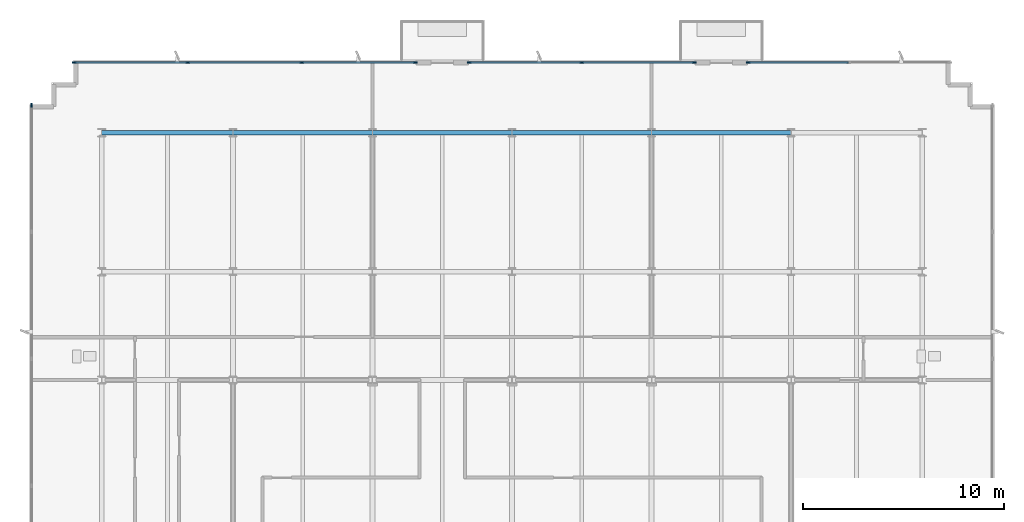
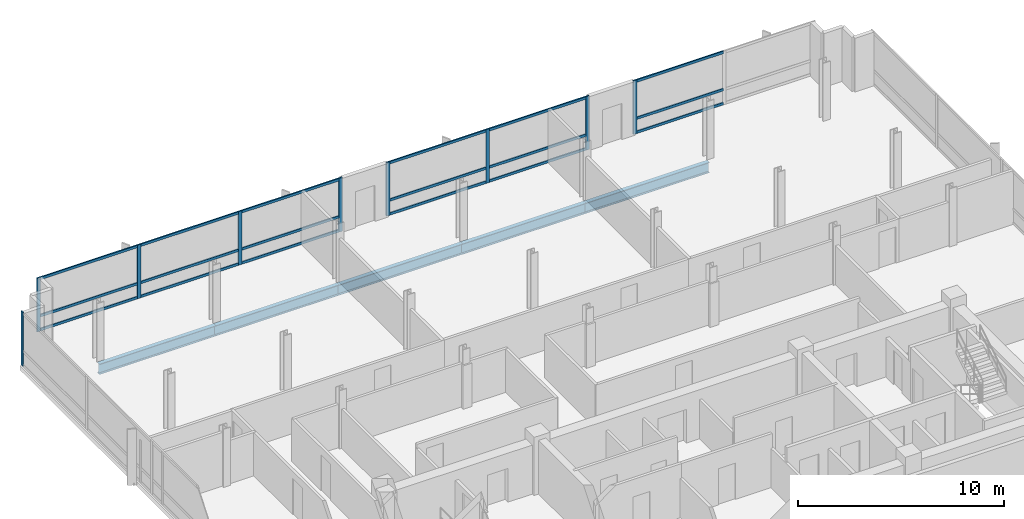
# One storey, part 5 of 13: 27 members, 5 beams, 4 elements without a shape of their own.
"""IFC4 building model written with IfcOpenShell, lengths in metres."""

import ifcopenshell
import ifcopenshell.guid

model = None  # the IFC model being written
_history = None  # IfcOwnerHistory: only IFC2X3 demands one
_inside = {}  # id of a spatial element -> (the spatial element, [elements in it])
_under = {}  # id of a project, library or spatial element -> (it, [spatial elements below it])
_declared = {}  # id of a project -> (the project, [libraries it declares])
_typed = {}  # id of a type object -> (the type object, [elements of that type])
_made_of = {}  # id of a material, layer set ... -> (it, [elements and type objects made of it])


def new_model(schema):
    """Start an empty IFC model of exactly this schema.

    Asked for "IFC4X3", IfcOpenShell would pick the latest addendum, in which some entities
    have other attributes; the version numbers below select the first issue.
    IFC2X3 requires an IfcOwnerHistory on every rooted entity: one is made here for all.
    """
    global model, _history
    if schema == "IFC4X3":
        model = ifcopenshell.file(schema_version=(4, 3, 0, 0))
    else:
        model = ifcopenshell.file(schema=schema)
    _inside.clear()
    _under.clear()
    _declared.clear()
    _typed.clear()
    _made_of.clear()
    _history = None
    if model.schema == "IFC2X3":
        org = make("IfcOrganization", Name="unknown")
        user = make(
            "IfcPersonAndOrganization",
            ThePerson=make("IfcPerson", FamilyName="unknown"),
            TheOrganization=org,
        )
        app = make(
            "IfcApplication",
            ApplicationDeveloper=org,
            Version="unknown",
            ApplicationFullName="unknown",
            ApplicationIdentifier="unknown",
        )
        _history = make(
            "IfcOwnerHistory",
            OwningUser=user,
            OwningApplication=app,
            ChangeAction="ADDED",
            CreationDate=0,
        )
    return model


def make(cls, **values):
    """One entity of the class cls with the attributes given. An attribute that is None is left unset."""
    return model.create_entity(
        cls, **{name: value for name, value in values.items() if value is not None}
    )


def rooted(cls, **values):
    """An entity with a GlobalId (a new one), such as an element, a storey or a relation."""
    return make(cls, GlobalId=ifcopenshell.guid.new(), OwnerHistory=_history, **values)


def si_unit(unit_type, name, prefix=None):
    """IfcSIUnit, for example si_unit("LENGTHUNIT", "METRE", prefix="MILLI")."""
    return make("IfcSIUnit", UnitType=unit_type, Prefix=prefix, Name=name)


def assignment(units):
    """IfcUnitAssignment: the units of a project."""
    return None if units is None else make("IfcUnitAssignment", Units=units)


def point(xyz):
    """IfcCartesianPoint."""
    return None if xyz is None else make("IfcCartesianPoint", Coordinates=xyz)


def direction(xyz):
    """IfcDirection."""
    return None if xyz is None else make("IfcDirection", DirectionRatios=xyz)


def frame(location, z_axis=None, x_axis=None):
    """IfcAxis2Placement3D, a coordinate frame: its origin and axes. An axis left out is left unset."""
    return make(
        "IfcAxis2Placement3D",
        Location=point(location),
        Axis=direction(z_axis),
        RefDirection=direction(x_axis),
    )


def frame_2d(location, x_axis=None):
    """IfcAxis2Placement2D, a coordinate frame in the plane: its origin and x axis."""
    return make(
        "IfcAxis2Placement2D", Location=point(location), RefDirection=direction(x_axis)
    )


def origin():
    """The frame at (0, 0, 0) with its axes left unset."""
    return frame((0.0, 0.0, 0.0))


def origin_2d():
    """The frame at (0, 0) in the plane with its x axis left unset."""
    return frame_2d((0.0, 0.0))


def place(relative_to, where):
    """IfcLocalPlacement: puts the frame where relative to a parent placement (None: the world)."""
    return make(
        "IfcLocalPlacement", PlacementRelTo=relative_to, RelativePlacement=where
    )


def context(
    kind, dimensions, precision=None, world=None, true_north=None, identifier=None
):
    """IfcGeometricRepresentationContext, for example the 3D "Model" context."""
    return make(
        "IfcGeometricRepresentationContext",
        ContextIdentifier=identifier,
        ContextType=kind,
        CoordinateSpaceDimension=dimensions,
        Precision=precision,
        WorldCoordinateSystem=world,
        TrueNorth=true_north,
    )


def subcontext(parent, identifier, kind, view, scale=None):
    """IfcGeometricRepresentationSubContext, for example "Body" below "Model"."""
    return make(
        "IfcGeometricRepresentationSubContext",
        ContextIdentifier=identifier,
        ContextType=kind,
        ParentContext=parent,
        TargetScale=scale,
        TargetView=view,
    )


def project(units=None, contexts=None):
    """IfcProject with its units and contexts."""
    return rooted(
        "IfcProject",
        Name="project",
        RepresentationContexts=contexts,
        UnitsInContext=assignment(units),
    )


def spatial(cls, under=None, at=None, **own):
    """A site, building, storey or space (cls), placed at a placement, below another one or the project."""
    s = rooted(cls, ObjectPlacement=at, **own)
    if under is not None:
        _under.setdefault(under.id(), (under, []))[1].append(s)
    return s


def profile(cls, at=None, kind="AREA", **sizes):
    """A parametric profile (cls). Its sizes go by their IFC names, for example OverallWidth=200.0."""
    return make(cls, ProfileType=kind, Position=at, **sizes)


def rectangle(**sizes):
    """IfcRectangleProfileDef."""
    return profile("IfcRectangleProfileDef", **sizes)


def i_section(**sizes):
    """IfcIShapeProfileDef."""
    return profile("IfcIShapeProfileDef", **sizes)


def extrude(swept, where, along, depth):
    """IfcExtrudedAreaSolid: the profile swept, set in the frame where, extruded along a direction by depth."""
    return make(
        "IfcExtrudedAreaSolid",
        SweptArea=swept,
        Position=where,
        ExtrudedDirection=direction(along),
        Depth=depth,
    )


def shape(context_of_items, identifier, shape_type, items):
    """IfcShapeRepresentation: the items that make up one representation, for example the "Body"."""
    return make(
        "IfcShapeRepresentation",
        ContextOfItems=context_of_items,
        RepresentationIdentifier=identifier,
        RepresentationType=shape_type,
        Items=items,
    )


def material(Name=None, Category=None):
    """IfcMaterial."""
    return make("IfcMaterial", Name=Name, Category=Category)


def material_profile(
    of_material, cross_section, Name=None, Category=None, Priority=None
):
    """IfcMaterialProfile: a cross section and its material."""
    return make(
        "IfcMaterialProfile",
        Name=Name,
        Material=of_material,
        Profile=cross_section,
        Priority=Priority,
        Category=Category,
    )


def profile_set(profiles, Name=None, composite=None):
    """IfcMaterialProfileSet."""
    return make(
        "IfcMaterialProfileSet",
        Name=Name,
        MaterialProfiles=profiles,
        CompositeProfile=composite,
    )


def made_of(thing, what):
    """Note that an element or type object is made of a material, layer set ...; save() writes the relation."""
    if what is not None:
        _made_of.setdefault(what.id(), (what, []))[1].append(thing)
    return thing


def type_object(cls, material=None, **own):
    """A type object (cls), such as IfcWallType, which elements share."""
    return made_of(rooted(cls, **own), material)


def element(
    cls,
    number,
    at=None,
    inside=None,
    cuts=None,
    type_object=None,
    material=None,
    context=None,
    identifier="Body",
    shape_type=None,
    held_by="IfcProductDefinitionShape",
    body=None,
    shapes=None,
    **own,
):
    """One element of the class cls, such as IfcWall. Its Tag is "e" and its number.

    at: its placement. inside: the storey or other place that contains it. cuts: it is an
    opening in that element (IfcRelVoidsElement). A single representation is given by context,
    identifier, shape_type and body (its items); several are given by shapes. held_by: the class
    of the entity that holds the representations. save() writes the other relations.
    """
    e = rooted(cls, Tag="e%d" % number, ObjectPlacement=at, **own)
    if body is not None:
        shapes = [shape(context, identifier, shape_type, body)]
    if shapes is not None:
        e.Representation = make(held_by, Representations=shapes)
    if inside is not None:
        _inside.setdefault(inside.id(), (inside, []))[1].append(e)
    if cuts is not None:
        rooted(
            "IfcRelVoidsElement", RelatingBuildingElement=cuts, RelatedOpeningElement=e
        )
    if type_object is not None:
        _typed.setdefault(type_object.id(), (type_object, []))[1].append(e)
    return made_of(e, material)


def aggregate(whole, parts):
    """IfcRelAggregates: a whole, such as a stair, and the parts it consists of."""
    return rooted("IfcRelAggregates", RelatingObject=whole, RelatedObjects=parts)


def save(model, path):
    """Write the relations noted so far, then the file.

    IfcRelAggregates (storeys below a building ...), IfcRelContainedInSpatialStructure (elements
    in a storey), IfcRelDefinesByType, IfcRelAssociatesMaterial and IfcRelDeclares: one each for
    every whole, place, type object, material and project.
    """
    for whole, parts in _under.values():
        aggregate(whole, parts)
    for where, things in _inside.values():
        rooted(
            "IfcRelContainedInSpatialStructure",
            RelatedElements=things,
            RelatingStructure=where,
        )
    for kind, things in _typed.values():
        rooted("IfcRelDefinesByType", RelatedObjects=things, RelatingType=kind)
    for what, things in _made_of.values():
        rooted("IfcRelAssociatesMaterial", RelatedObjects=things, RelatingMaterial=what)
    for by, libraries in _declared.values():
        rooted("IfcRelDeclares", RelatingContext=by, RelatedDefinitions=libraries)
    model.write(path)


model = new_model("IFC4")

# Units and contexts
model_context = context("Model", 3, precision=1e-05, world=origin(), true_north=direction((0.0, 1.0)))
body_context = subcontext(model_context, "Body", "Model", "MODEL_VIEW")
ifc_project = project(units=[si_unit("LENGTHUNIT", "METRE"), si_unit("AREAUNIT", "SQUARE_METRE"), si_unit("VOLUMEUNIT", "CUBIC_METRE"), si_unit("PLANEANGLEUNIT", "RADIAN"), si_unit("MASSUNIT", "GRAM", prefix="KILO")], contexts=[model_context])

# Site, building, storey
site_placement = place(None, origin())
site = spatial("IfcSite", under=ifc_project, at=site_placement, CompositionType="ELEMENT")
building_placement = place(site_placement, origin())
building = spatial("IfcBuilding", under=site, at=building_placement, Name="Solmavex Isthmus Hotel", CompositionType="ELEMENT")
storey_placement = place(building_placement, frame((0.0, 0.0, 276.449951171875)))
storey = spatial("IfcBuildingStorey", under=building, at=storey_placement, Name="L75", CompositionType="ELEMENT", Elevation=276.449951171875)

# Beams
ifc_material_1 = material(Name="Steel ASTM A992 Grade 50", Category="steel")
ifc_material_profile_1 = material_profile(ifc_material_1, i_section(OverallWidth=0.230224609375, OverallDepth=0.617431640625, WebThickness=0.01318359375, FlangeThickness=0.022216796875, FilletRadius=0.01513671875, at=origin_2d()), Name="W24X94")
ifc_profile_set_1 = profile_set([ifc_material_profile_1], Name="Steel ASTM A992 Grade 50")
beam_type = type_object("IfcBeamType", Name="BM-SP-W24X94", PredefinedType="SPANDREL", material=ifc_profile_set_1)
beam_placement = place(storey_placement, frame((-20.39990234375, 17.699951171875, -0.568603515625), z_axis=(1.0, 0.0, 0.0), x_axis=(0.0, 1.0, 0.0)))
element("IfcBeam", 1, at=beam_placement, inside=storey, type_object=beam_type, Name="Floor Girder L75-UG15", PredefinedType="SPANDREL", context=body_context, shape_type="SweptSolid", body=[
    extrude(i_section(OverallWidth=0.230224609375, OverallDepth=0.617431640625, WebThickness=0.01318359375, FlangeThickness=0.022216796875, FilletRadius=0.01513671875, at=origin_2d()), origin(), (0.0, 0.0, 1.0), 6.52783203125),
])
for number, where, z_axis, x_axis, name in (
    (2, (-13.8720703125, 17.699951171875, -0.568603515625), (1.0, 0.0, 0.0), (0.0, 1.0, 0.0), "Floor Girder L75-UG16"),
    (3, (-6.93603515625, 17.699951171875, -0.568603515625), (1.0, 0.0, 0.0), (0.0, 1.0, 0.0), "Floor Girder L75-UG17"),
    (4, (0.0, 17.699951171875, -0.568603515625), (1.0, 0.0, 0.0), (0.0, 1.0, 0.0), "Floor Girder L75-UG18"),
    (5, (6.93603515625, 17.699951171875, -0.568603515625), (1.0, 0.0, 0.0), (0.0, 1.0, 0.0), "Floor Girder L75-UG19"),
):
    element("IfcBeam", number, at=place(storey_placement, frame(where, z_axis=z_axis, x_axis=x_axis)), inside=storey, type_object=beam_type, Name=name, PredefinedType="SPANDREL", context=body_context, shape_type="SweptSolid", body=[
        extrude(i_section(OverallWidth=0.230224609375, OverallDepth=0.617431640625, WebThickness=0.01318359375, FlangeThickness=0.022216796875, FilletRadius=0.01513671875, at=origin_2d()), origin(), (0.0, 0.0, 1.0), 6.93603515625),
    ])

# Curtain wall, members
ifc_material_2 = material(Name="Aluminium alloy 6063-T6", Category="aluminium")
curtain_wall_type = type_object("IfcCurtainWallType", Name="CW-SYS-04", PredefinedType="NOTDEFINED", material=ifc_material_2)
curtain_wall_1_placement = place(storey_placement, origin())
curtain_wall_1 = element("IfcCurtainWall", 6, at=curtain_wall_1_placement, inside=storey, type_object=curtain_wall_type, Name="Stick Curtain Wall CWL-L75-N1", PredefinedType="NOTDEFINED")
ifc_material_profile_2 = material_profile(ifc_material_2, rectangle(XDim=0.074951171875, YDim=0.199951171875, at=origin_2d()), Name="CWM-75X200")
ifc_profile_set_2 = profile_set([ifc_material_profile_2], Name="Aluminium alloy 6063-T6")
member_type_1 = type_object("IfcMemberType", Name="CW-SYS-04-MUL", PredefinedType="MULLION", material=ifc_profile_set_2)
member_1_placement = place(storey_placement, frame((-21.762451171875, 21.179931640625, 0.0), z_axis=(0.0, 0.0, 1.0), x_axis=(0.0, 1.0, 0.0)))
member_1 = element("IfcMember", 7, at=member_1_placement, type_object=member_type_1, Name="CW-04 mullion 1", PredefinedType="MULLION", context=body_context, shape_type="SweptSolid", body=[
    extrude(rectangle(XDim=0.074951171875, YDim=0.199951171875, at=origin_2d()), origin(), (0.0, 0.0, 1.0), 3.18994140625),
])
member_2_placement = place(storey_placement, frame((-16.12255859375, 21.179931640625, 0.0), z_axis=(0.0, 0.0, 1.0), x_axis=(0.0, 1.0, 0.0)))
member_2 = element("IfcMember", 8, at=member_2_placement, type_object=member_type_1, Name="CW-04 mullion 2", PredefinedType="MULLION", context=body_context, shape_type="SweptSolid", body=[
    extrude(rectangle(XDim=0.074951171875, YDim=0.199951171875, at=origin_2d()), origin(), (0.0, 0.0, 1.0), 3.18994140625),
])
member_3_placement = place(storey_placement, frame((-10.4453125, 21.179931640625, 0.0), z_axis=(0.0, 0.0, 1.0), x_axis=(0.0, 1.0, 0.0)))
member_3 = element("IfcMember", 9, at=member_3_placement, type_object=member_type_1, Name="CW-04 mullion 3", PredefinedType="MULLION", context=body_context, shape_type="SweptSolid", body=[
    extrude(rectangle(XDim=0.074951171875, YDim=0.199951171875, at=origin_2d()), origin(), (0.0, 0.0, 1.0), 3.18994140625),
])
member_4_placement = place(storey_placement, frame((-4.805419921875, 21.179931640625, 0.0), z_axis=(0.0, 0.0, 1.0), x_axis=(0.0, 1.0, 0.0)))
member_4 = element("IfcMember", 10, at=member_4_placement, type_object=member_type_1, Name="CW-04 mullion 4", PredefinedType="MULLION", context=body_context, shape_type="SweptSolid", body=[
    extrude(rectangle(XDim=0.074951171875, YDim=0.199951171875, at=origin_2d()), origin(), (0.0, 0.0, 1.0), 3.18994140625),
])

curtain_wall_2_placement = place(storey_placement, origin())
curtain_wall_2 = element("IfcCurtainWall", 11, at=curtain_wall_2_placement, inside=storey, type_object=curtain_wall_type, Name="Stick Curtain Wall CWL-L75-N2", PredefinedType="NOTDEFINED")
member_5_placement = place(storey_placement, frame((-2.130615234375, 21.179931640625, 0.0), z_axis=(0.0, 0.0, 1.0), x_axis=(0.0, 1.0, 0.0)))
member_5 = element("IfcMember", 12, at=member_5_placement, type_object=member_type_1, Name="CW-04 mullion 1", PredefinedType="MULLION", context=body_context, shape_type="SweptSolid", body=[
    extrude(rectangle(XDim=0.074951171875, YDim=0.199951171875, at=origin_2d()), origin(), (0.0, 0.0, 1.0), 3.18994140625),
])
member_6_placement = place(storey_placement, frame((3.468017578125, 21.179931640625, 0.0), z_axis=(0.0, 0.0, 1.0), x_axis=(0.0, 1.0, 0.0)))
member_6 = element("IfcMember", 13, at=member_6_placement, type_object=member_type_1, Name="CW-04 mullion 2", PredefinedType="MULLION", context=body_context, shape_type="SweptSolid", body=[
    extrude(rectangle(XDim=0.074951171875, YDim=0.199951171875, at=origin_2d()), origin(), (0.0, 0.0, 1.0), 3.18994140625),
])
member_7_placement = place(storey_placement, frame((9.06640625, 21.179931640625, 0.0), z_axis=(0.0, 0.0, 1.0), x_axis=(0.0, 1.0, 0.0)))
member_7 = element("IfcMember", 14, at=member_7_placement, type_object=member_type_1, Name="CW-04 mullion 3", PredefinedType="MULLION", context=body_context, shape_type="SweptSolid", body=[
    extrude(rectangle(XDim=0.074951171875, YDim=0.199951171875, at=origin_2d()), origin(), (0.0, 0.0, 1.0), 3.18994140625),
])

# Curtain wall, member
curtain_wall_3_placement = place(storey_placement, origin())
curtain_wall_3 = element("IfcCurtainWall", 15, at=curtain_wall_3_placement, inside=storey, type_object=curtain_wall_type, Name="Stick Curtain Wall CWL-L75-N3", PredefinedType="NOTDEFINED")
member_8_placement = place(storey_placement, frame((11.741455078125, 21.179931640625, 0.0), z_axis=(0.0, 0.0, 1.0), x_axis=(0.0, 1.0, 0.0)))
member_8 = element("IfcMember", 16, at=member_8_placement, type_object=member_type_1, Name="CW-04 mullion 1", PredefinedType="MULLION", context=body_context, shape_type="SweptSolid", body=[
    extrude(rectangle(XDim=0.074951171875, YDim=0.199951171875, at=origin_2d()), origin(), (0.0, 0.0, 1.0), 3.18994140625),
])

curtain_wall_4_placement = place(storey_placement, origin())
curtain_wall_4 = element("IfcCurtainWall", 17, at=curtain_wall_4_placement, inside=storey, type_object=curtain_wall_type, Name="Stick Curtain Wall CWL-L75-W1", PredefinedType="NOTDEFINED")
member_9_placement = place(storey_placement, frame((-23.8798828125, 19.0625, 0.0), z_axis=(0.0, 0.0, 1.0), x_axis=(-1.0, 0.0, 0.0)))
member_9 = element("IfcMember", 18, at=member_9_placement, type_object=member_type_1, Name="CW-04 mullion 6", PredefinedType="MULLION", context=body_context, shape_type="SweptSolid", body=[
    extrude(rectangle(XDim=0.074951171875, YDim=0.199951171875, at=origin_2d()), origin(), (0.0, 0.0, 1.0), 3.18994140625),
])
aggregate(curtain_wall_4, [member_9])

# Member
ifc_material_profile_3 = material_profile(ifc_material_2, rectangle(XDim=0.074951171875, YDim=0.14990234375, at=origin_2d()), Name="CWT-75X150")
ifc_profile_set_3 = profile_set([ifc_material_profile_3], Name="Aluminium alloy 6063-T6")
member_type_2 = type_object("IfcMemberType", Name="CW-SYS-04-TRN", PredefinedType="USERDEFINED", material=ifc_profile_set_3)
member_10_placement = place(storey_placement, frame((-21.72509765625, 21.179931640625, 0.074951171875), z_axis=(1.0, 0.0, 0.0), x_axis=(0.0, 1.0, 0.0)))
member_10 = element("IfcMember", 19, at=member_10_placement, type_object=member_type_2, Name="CW-04 transom 1.1", ObjectType="TRANSOM", PredefinedType="USERDEFINED", context=body_context, shape_type="SweptSolid", body=[
    extrude(rectangle(XDim=0.074951171875, YDim=0.14990234375, at=origin_2d()), origin(), (0.0, 0.0, 1.0), 5.56494140625),
])

member_11_placement = place(storey_placement, frame((-21.72509765625, 21.179931640625, 0.900146484375), z_axis=(1.0, 0.0, 0.0), x_axis=(0.0, 1.0, 0.0)))
member_11 = element("IfcMember", 20, at=member_11_placement, type_object=member_type_2, Name="CW-04 transom 1.2", ObjectType="TRANSOM", PredefinedType="USERDEFINED", context=body_context, shape_type="SweptSolid", body=[
    extrude(rectangle(XDim=0.074951171875, YDim=0.14990234375, at=origin_2d()), origin(), (0.0, 0.0, 1.0), 5.56494140625),
])

member_12_placement = place(storey_placement, frame((-21.72509765625, 21.179931640625, 3.114990234375), z_axis=(1.0, 0.0, 0.0), x_axis=(0.0, 1.0, 0.0)))
member_12 = element("IfcMember", 21, at=member_12_placement, type_object=member_type_2, Name="CW-04 transom 1.3", ObjectType="TRANSOM", PredefinedType="USERDEFINED", context=body_context, shape_type="SweptSolid", body=[
    extrude(rectangle(XDim=0.074951171875, YDim=0.14990234375, at=origin_2d()), origin(), (0.0, 0.0, 1.0), 5.56494140625),
])

member_13_placement = place(storey_placement, frame((-16.085205078125, 21.179931640625, 0.074951171875), z_axis=(1.0, 0.0, 0.0), x_axis=(0.0, 1.0, 0.0)))
member_13 = element("IfcMember", 22, at=member_13_placement, type_object=member_type_2, Name="CW-04 transom 2.1", ObjectType="TRANSOM", PredefinedType="USERDEFINED", context=body_context, shape_type="SweptSolid", body=[
    extrude(rectangle(XDim=0.074951171875, YDim=0.14990234375, at=origin_2d()), origin(), (0.0, 0.0, 1.0), 5.602294921875),
])

member_14_placement = place(storey_placement, frame((-16.085205078125, 21.179931640625, 0.900146484375), z_axis=(1.0, 0.0, 0.0), x_axis=(0.0, 1.0, 0.0)))
member_14 = element("IfcMember", 23, at=member_14_placement, type_object=member_type_2, Name="CW-04 transom 2.2", ObjectType="TRANSOM", PredefinedType="USERDEFINED", context=body_context, shape_type="SweptSolid", body=[
    extrude(rectangle(XDim=0.074951171875, YDim=0.14990234375, at=origin_2d()), origin(), (0.0, 0.0, 1.0), 5.602294921875),
])

member_15_placement = place(storey_placement, frame((-16.085205078125, 21.179931640625, 3.114990234375), z_axis=(1.0, 0.0, 0.0), x_axis=(0.0, 1.0, 0.0)))
member_15 = element("IfcMember", 24, at=member_15_placement, type_object=member_type_2, Name="CW-04 transom 2.3", ObjectType="TRANSOM", PredefinedType="USERDEFINED", context=body_context, shape_type="SweptSolid", body=[
    extrude(rectangle(XDim=0.074951171875, YDim=0.14990234375, at=origin_2d()), origin(), (0.0, 0.0, 1.0), 5.602294921875),
])

member_16_placement = place(storey_placement, frame((-10.40771484375, 21.179931640625, 0.074951171875), z_axis=(1.0, 0.0, 0.0), x_axis=(0.0, 1.0, 0.0)))
member_16 = element("IfcMember", 25, at=member_16_placement, type_object=member_type_2, Name="CW-04 transom 3.1", ObjectType="TRANSOM", PredefinedType="USERDEFINED", context=body_context, shape_type="SweptSolid", body=[
    extrude(rectangle(XDim=0.074951171875, YDim=0.14990234375, at=origin_2d()), origin(), (0.0, 0.0, 1.0), 5.564697265625),
])

member_17_placement = place(storey_placement, frame((-10.40771484375, 21.179931640625, 0.900146484375), z_axis=(1.0, 0.0, 0.0), x_axis=(0.0, 1.0, 0.0)))
member_17 = element("IfcMember", 26, at=member_17_placement, type_object=member_type_2, Name="CW-04 transom 3.2", ObjectType="TRANSOM", PredefinedType="USERDEFINED", context=body_context, shape_type="SweptSolid", body=[
    extrude(rectangle(XDim=0.074951171875, YDim=0.14990234375, at=origin_2d()), origin(), (0.0, 0.0, 1.0), 5.564697265625),
])

member_18_placement = place(storey_placement, frame((-10.40771484375, 21.179931640625, 3.114990234375), z_axis=(1.0, 0.0, 0.0), x_axis=(0.0, 1.0, 0.0)))
member_18 = element("IfcMember", 27, at=member_18_placement, type_object=member_type_2, Name="CW-04 transom 3.3", ObjectType="TRANSOM", PredefinedType="USERDEFINED", context=body_context, shape_type="SweptSolid", body=[
    extrude(rectangle(XDim=0.074951171875, YDim=0.14990234375, at=origin_2d()), origin(), (0.0, 0.0, 1.0), 5.564697265625),
])

aggregate(curtain_wall_1, [member_1, member_2, member_3, member_4, member_10, member_11, member_12, member_13, member_14, member_15, member_16, member_17, member_18])

member_19_placement = place(storey_placement, frame((-2.093017578125, 21.179931640625, 0.074951171875), z_axis=(1.0, 0.0, 0.0), x_axis=(0.0, 1.0, 0.0)))
member_19 = element("IfcMember", 28, at=member_19_placement, type_object=member_type_2, Name="CW-04 transom 1.1", ObjectType="TRANSOM", PredefinedType="USERDEFINED", context=body_context, shape_type="SweptSolid", body=[
    extrude(rectangle(XDim=0.074951171875, YDim=0.14990234375, at=origin_2d()), origin(), (0.0, 0.0, 1.0), 5.5234375),
])

member_20_placement = place(storey_placement, frame((-2.093017578125, 21.179931640625, 0.900146484375), z_axis=(1.0, 0.0, 0.0), x_axis=(0.0, 1.0, 0.0)))
member_20 = element("IfcMember", 29, at=member_20_placement, type_object=member_type_2, Name="CW-04 transom 1.2", ObjectType="TRANSOM", PredefinedType="USERDEFINED", context=body_context, shape_type="SweptSolid", body=[
    extrude(rectangle(XDim=0.074951171875, YDim=0.14990234375, at=origin_2d()), origin(), (0.0, 0.0, 1.0), 5.5234375),
])

member_21_placement = place(storey_placement, frame((-2.093017578125, 21.179931640625, 3.114990234375), z_axis=(1.0, 0.0, 0.0), x_axis=(0.0, 1.0, 0.0)))
member_21 = element("IfcMember", 30, at=member_21_placement, type_object=member_type_2, Name="CW-04 transom 1.3", ObjectType="TRANSOM", PredefinedType="USERDEFINED", context=body_context, shape_type="SweptSolid", body=[
    extrude(rectangle(XDim=0.074951171875, YDim=0.14990234375, at=origin_2d()), origin(), (0.0, 0.0, 1.0), 5.5234375),
])

member_22_placement = place(storey_placement, frame((3.505615234375, 21.179931640625, 0.074951171875), z_axis=(1.0, 0.0, 0.0), x_axis=(0.0, 1.0, 0.0)))
member_22 = element("IfcMember", 31, at=member_22_placement, type_object=member_type_2, Name="CW-04 transom 2.1", ObjectType="TRANSOM", PredefinedType="USERDEFINED", context=body_context, shape_type="SweptSolid", body=[
    extrude(rectangle(XDim=0.074951171875, YDim=0.14990234375, at=origin_2d()), origin(), (0.0, 0.0, 1.0), 5.5234375),
])

member_23_placement = place(storey_placement, frame((3.505615234375, 21.179931640625, 0.900146484375), z_axis=(1.0, 0.0, 0.0), x_axis=(0.0, 1.0, 0.0)))
member_23 = element("IfcMember", 32, at=member_23_placement, type_object=member_type_2, Name="CW-04 transom 2.2", ObjectType="TRANSOM", PredefinedType="USERDEFINED", context=body_context, shape_type="SweptSolid", body=[
    extrude(rectangle(XDim=0.074951171875, YDim=0.14990234375, at=origin_2d()), origin(), (0.0, 0.0, 1.0), 5.5234375),
])

member_24_placement = place(storey_placement, frame((3.505615234375, 21.179931640625, 3.114990234375), z_axis=(1.0, 0.0, 0.0), x_axis=(0.0, 1.0, 0.0)))
member_24 = element("IfcMember", 33, at=member_24_placement, type_object=member_type_2, Name="CW-04 transom 2.3", ObjectType="TRANSOM", PredefinedType="USERDEFINED", context=body_context, shape_type="SweptSolid", body=[
    extrude(rectangle(XDim=0.074951171875, YDim=0.14990234375, at=origin_2d()), origin(), (0.0, 0.0, 1.0), 5.5234375),
])

aggregate(curtain_wall_2, [member_5, member_6, member_7, member_19, member_20, member_21, member_22, member_23, member_24])

member_25_placement = place(storey_placement, frame((11.779052734375, 21.179931640625, 0.074951171875), z_axis=(1.0, 0.0, 0.0), x_axis=(0.0, 1.0, 0.0)))
member_25 = element("IfcMember", 34, at=member_25_placement, type_object=member_type_2, Name="CW-04 transom 1.1", ObjectType="TRANSOM", PredefinedType="USERDEFINED", context=body_context, shape_type="SweptSolid", body=[
    extrude(rectangle(XDim=0.074951171875, YDim=0.14990234375, at=origin_2d()), origin(), (0.0, 0.0, 1.0), 4.935546875),
])

member_26_placement = place(storey_placement, frame((11.779052734375, 21.179931640625, 0.900146484375), z_axis=(1.0, 0.0, 0.0), x_axis=(0.0, 1.0, 0.0)))
member_26 = element("IfcMember", 35, at=member_26_placement, type_object=member_type_2, Name="CW-04 transom 1.2", ObjectType="TRANSOM", PredefinedType="USERDEFINED", context=body_context, shape_type="SweptSolid", body=[
    extrude(rectangle(XDim=0.074951171875, YDim=0.14990234375, at=origin_2d()), origin(), (0.0, 0.0, 1.0), 4.935546875),
])

member_27_placement = place(storey_placement, frame((11.779052734375, 21.179931640625, 3.114990234375), z_axis=(1.0, 0.0, 0.0), x_axis=(0.0, 1.0, 0.0)))
member_27 = element("IfcMember", 36, at=member_27_placement, type_object=member_type_2, Name="CW-04 transom 1.3", ObjectType="TRANSOM", PredefinedType="USERDEFINED", context=body_context, shape_type="SweptSolid", body=[
    extrude(rectangle(XDim=0.074951171875, YDim=0.14990234375, at=origin_2d()), origin(), (0.0, 0.0, 1.0), 4.935546875),
])

aggregate(curtain_wall_3, [member_8, member_25, member_26, member_27])

save(model, "model.ifc")
